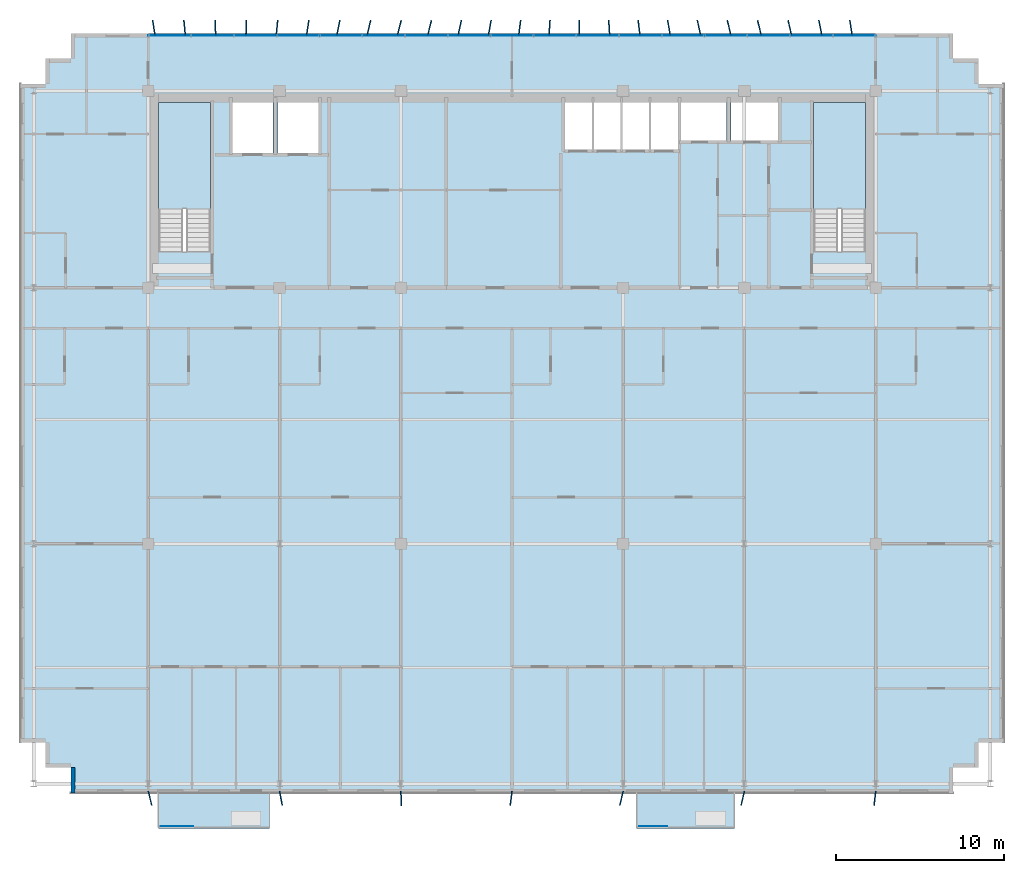
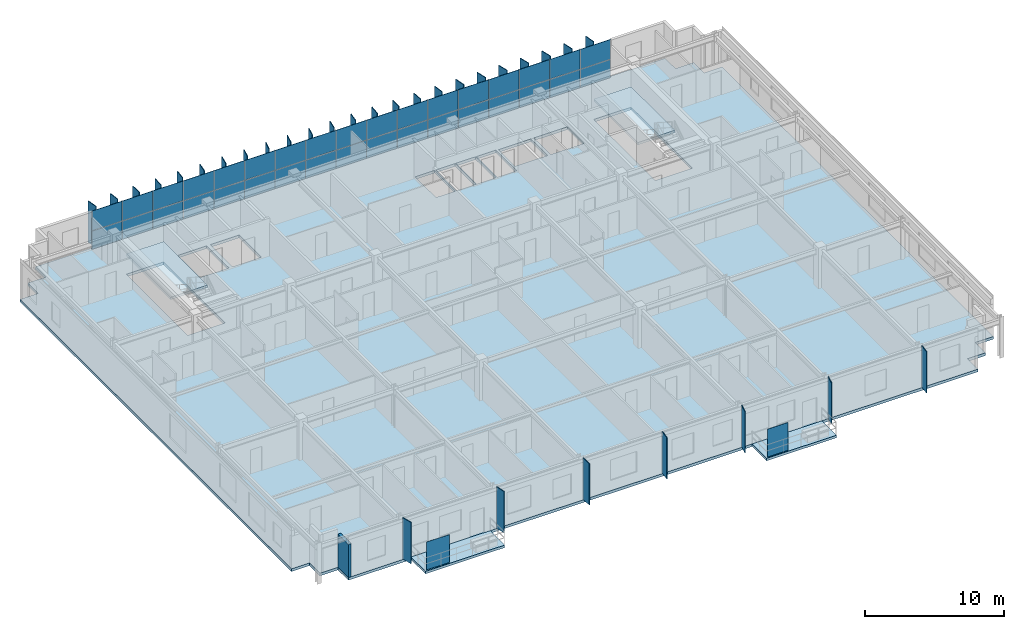
# One storey, part 15 of 23: 67 plates, 5 slabs, 1 wall, 3 elements without a shape of their own.
"""IFC4 building model written with IfcOpenShell, lengths in metres."""

from ifc_helpers import new_model, si_unit, direction, frame, frame_2d, origin, origin_2d, place, context, subcontext, project, spatial, polyline, rectangle, outline, extrude, source, transform, mapped, material, layer, layer_set, type_object, element, aggregate, save


model = new_model("IFC4")

# Units and contexts
model_context = context("Model", 3, precision=1e-05, world=origin(), true_north=direction((0.0, 1.0)))
body_context = subcontext(model_context, "Body", "Model", "MODEL_VIEW")
ifc_project = project(units=[si_unit("LENGTHUNIT", "METRE"), si_unit("AREAUNIT", "SQUARE_METRE"), si_unit("VOLUMEUNIT", "CUBIC_METRE"), si_unit("PLANEANGLEUNIT", "RADIAN"), si_unit("MASSUNIT", "GRAM", prefix="KILO")], contexts=[model_context])

# Site, building, storey
site_placement = place(None, origin())
site = spatial("IfcSite", under=ifc_project, at=site_placement, CompositionType="ELEMENT")
building_placement = place(site_placement, origin())
building = spatial("IfcBuilding", under=site, at=building_placement, Name="Trelvane Seafront Commons", CompositionType="ELEMENT")
storey_placement = place(building_placement, frame((0.0, 0.0, 226.5)))
storey = spatial("IfcBuildingStorey", under=building, at=storey_placement, Name="L59", CompositionType="ELEMENT", Elevation=226.5)

# Slabs
ifc_material_1 = material(Name="Concrete C40/50", Category="concrete")
ifc_layer_1 = layer(ifc_material_1, 0.219970703125, Name="ARCH-BALC-220")
ifc_layer_set_1 = layer_set([ifc_layer_1], Name="Concrete C40/50")
slab_type_1 = type_object("IfcSlabType", Name="ARCH-BALC-220", PredefinedType="FLOOR", material=ifc_layer_set_1)
slab_1_placement = place(storey_placement, frame((0.0, 0.0, -0.219970703125)))
element("IfcSlab", 1, at=slab_1_placement, inside=storey, type_object=slab_type_1, Name="L59 Cantilevered Tree Balcony Loggia 1", PredefinedType="FLOOR", context=body_context, shape_type="SweptSolid", body=[
    extrude(outline(polyline([(16.199951171875, 1.300048828125), (22.800048828125, 1.300048828125), (22.800048828125, 3.39990234375), (16.199951171875, 3.39990234375), (16.199951171875, 1.300048828125)])), origin(), (0.0, 0.0, 1.0), 0.219970703125),
])
slab_2_placement = place(storey_placement, frame((0.0, 0.0, -0.219970703125)))
element("IfcSlab", 2, at=slab_2_placement, inside=storey, type_object=slab_type_1, Name="L59 Cantilevered Tree Balcony Loggia 2", PredefinedType="FLOOR", context=body_context, shape_type="SweptSolid", body=[
    extrude(outline(polyline([(44.60009765625, 1.300048828125), (50.39990234375, 1.300048828125), (50.39990234375, 3.39990234375), (44.60009765625, 3.39990234375), (44.60009765625, 1.300048828125)])), origin(), (0.0, 0.0, 1.0), 0.219970703125),
])

# Stair, slab
stair_type_1 = type_object("IfcStairType", Name="ARCH-STR-ST-1-R20-180", PredefinedType="HALF_TURN_STAIR", material=ifc_material_1)
stair_1_placement = place(storey_placement, origin())
stair_1 = element("IfcStair", 3, at=stair_1_placement, inside=storey, type_object=stair_type_1, Name="L59 West Protected Firefighting Exit Stair ST-1", PredefinedType="HALF_TURN_STAIR")
ifc_layer_2 = layer(ifc_material_1, 0.199951171875, Name="ARCH-LND-200")
ifc_layer_set_2 = layer_set([ifc_layer_2], Name="Concrete C40/50")
slab_type_2 = type_object("IfcSlabType", Name="ARCH-LND-200", PredefinedType="LANDING", material=ifc_layer_set_2)
slab_3_placement = place(storey_placement, frame((0.0, 0.0, 1.60009765625)))
slab_3 = element("IfcSlab", 4, at=slab_3_placement, type_object=slab_type_2, Name="ST-1 landing 1", PredefinedType="LANDING", context=body_context, shape_type="SweptSolid", body=[
    extrude(outline(polyline([(19.300048828125, 38.070068359375), (19.300048828125, 44.39990234375), (16.199951171875, 44.39990234375), (16.199951171875, 38.070068359375), (19.300048828125, 38.070068359375)])), origin(), (0.0, 0.0, 1.0), 0.199951171875),
])
aggregate(stair_1, [slab_3])

stair_type_2 = type_object("IfcStairType", Name="ARCH-STR-ST-2-R20-180", PredefinedType="HALF_TURN_STAIR", material=ifc_material_1)
stair_2_placement = place(storey_placement, origin())
stair_2 = element("IfcStair", 5, at=stair_2_placement, inside=storey, type_object=stair_type_2, Name="L59 East Protected Firefighting Exit Stair ST-2", PredefinedType="HALF_TURN_STAIR")
slab_4_placement = place(storey_placement, frame((0.0, 0.0, 1.60009765625)))
slab_4 = element("IfcSlab", 6, at=slab_4_placement, type_object=slab_type_2, Name="ST-2 landing 1", PredefinedType="LANDING", context=body_context, shape_type="SweptSolid", body=[
    extrude(outline(polyline([(58.199951171875, 38.070068359375), (58.199951171875, 44.39990234375), (55.10009765625, 44.39990234375), (55.10009765625, 38.070068359375), (58.199951171875, 38.070068359375)])), origin(), (0.0, 0.0, 1.0), 0.199951171875),
])
aggregate(stair_2, [slab_4])

# Slab
ifc_material_2 = material(Name="Concrete C50/60", Category="concrete")
ifc_layer_3 = layer(ifc_material_2, 0.239990234375, Name="STR-SLB-Z4-240")
ifc_layer_set_3 = layer_set([ifc_layer_3], Name="Concrete C50/60")
slab_type_3 = type_object("IfcSlabType", Name="STR-SLB-Z4-240", PredefinedType="FLOOR", material=ifc_layer_set_3)
slab_5_placement = place(storey_placement, frame((0.0, 0.0, -0.239990234375)))
element("IfcSlab", 7, at=slab_5_placement, inside=storey, type_object=slab_type_3, Name="L59 Structural Floor Slab", PredefinedType="FLOOR", context=body_context, shape_type="SweptSolid", body=[
    extrude(outline(polyline([(11.0, 3.39990234375), (63.39990234375, 3.39990234375), (63.39990234375, 4.89990234375), (64.89990234375, 4.89990234375), (64.89990234375, 6.39990234375), (66.39990234375, 6.39990234375), (66.39990234375, 45.5), (64.89990234375, 45.5), (64.89990234375, 47.0), (63.39990234375, 47.0), (63.39990234375, 48.5), (11.0, 48.5), (11.0, 47.0), (9.5, 47.0), (9.5, 45.5), (8.0, 45.5), (8.0, 6.39990234375), (9.5, 6.39990234375), (9.5, 4.89990234375), (11.0, 4.89990234375), (11.0, 3.39990234375)]), holes=[polyline([(19.300048828125, 35.550048828125), (16.199951171875, 35.550048828125), (16.199951171875, 44.39990234375), (19.300048828125, 44.39990234375), (19.300048828125, 35.550048828125)]), polyline([(58.199951171875, 35.550048828125), (55.10009765625, 35.550048828125), (55.10009765625, 44.39990234375), (58.199951171875, 44.39990234375), (58.199951171875, 35.550048828125)]), polyline([(23.0, 41.39990234375), (20.60009765625, 41.39990234375), (20.60009765625, 44.60009765625), (23.0, 44.60009765625), (23.0, 41.39990234375)]), polyline([(23.300048828125, 41.39990234375), (23.300048828125, 44.60009765625), (25.699951171875, 44.60009765625), (25.699951171875, 41.39990234375), (23.300048828125, 41.39990234375)]), polyline([(40.35009765625, 41.60009765625), (40.35009765625, 44.60009765625), (41.969970703125, 44.60009765625), (41.969970703125, 41.60009765625), (40.35009765625, 41.60009765625)]), polyline([(43.669921875, 41.60009765625), (42.050048828125, 41.60009765625), (42.050048828125, 44.60009765625), (43.669921875, 44.60009765625), (43.669921875, 41.60009765625)]), polyline([(45.3701171875, 41.60009765625), (43.75, 41.60009765625), (43.75, 44.60009765625), (45.3701171875, 44.60009765625), (45.3701171875, 41.60009765625)]), polyline([(47.070068359375, 41.60009765625), (45.449951171875, 41.60009765625), (45.449951171875, 44.60009765625), (47.070068359375, 44.60009765625), (47.070068359375, 41.60009765625)]), polyline([(47.25, 42.14990234375), (47.25, 44.550048828125), (49.949951171875, 44.550048828125), (49.949951171875, 42.14990234375), (47.25, 42.14990234375)]), polyline([(50.199951171875, 42.14990234375), (50.199951171875, 44.550048828125), (53.0, 44.550048828125), (53.0, 42.14990234375), (50.199951171875, 42.14990234375)])]), origin(), (0.0, 0.0, 1.0), 0.239990234375),
])

# Plates
ifc_material_3 = material(Name="Perforated anodised aluminium screen", Category="aluminium")
ifc_layer_4 = layer(ifc_material_3, 0.01611328125, Name="ARCH-PLATE-SCREEN")
ifc_layer_set_4 = layer_set([ifc_layer_4], Name="Perforated anodised aluminium screen")
plate_type_1 = type_object("IfcPlateType", Name="ARCH-PLATE-SCREEN", PredefinedType="USERDEFINED", material=ifc_layer_set_4)
shared_shape_1 = source(origin(), body_context, "Body", "SweptSolid", [
    extrude(rectangle(XDim=1.9140625, YDim=0.01611328125, at=origin_2d()), origin(), (0.0, 0.0, 1.0), 2.449951171875),
])
plate_1_placement = place(storey_placement, frame((17.306884765625, 1.419921875, 0.0), z_axis=(0.0, 0.0, 1.0), x_axis=(1.0, 0.0, 0.0)))
element("IfcPlate", 8, at=plate_1_placement, inside=storey, type_object=plate_type_1, Name="SCR-L59-00207", ObjectType="SCREEN", PredefinedType="USERDEFINED", context=body_context, shape_type="MappedRepresentation", body=[
    mapped(shared_shape_1, transform((0.0, 0.0, 0.0), x_axis=(1.0, 0.0, 0.0), y_axis=(0.0, 1.0, 0.0), z_axis=(0.0, 0.0, 1.0), scale=1.0)),
])
shared_shape_2 = source(origin(), body_context, "Body", "SweptSolid", [
    extrude(rectangle(XDim=1.681884765625, YDim=0.01611328125, at=origin_2d()), origin(), (0.0, 0.0, 1.0), 2.449951171875),
])
plate_2_placement = place(storey_placement, frame((45.591064453125, 1.419921875, 0.0), z_axis=(0.0, 0.0, 1.0), x_axis=(1.0, 0.0, 0.0)))
element("IfcPlate", 9, at=plate_2_placement, inside=storey, type_object=plate_type_1, Name="SCR-L59-00208", ObjectType="SCREEN", PredefinedType="USERDEFINED", context=body_context, shape_type="MappedRepresentation", body=[
    mapped(shared_shape_2, transform((0.0, 0.0, 0.0), x_axis=(1.0, 0.0, 0.0), y_axis=(0.0, 1.0, 0.0), z_axis=(0.0, 0.0, 1.0), scale=1.0)),
])
ifc_material_4 = material(Name="Anodised pale-silver aluminium", Category="aluminium")
ifc_layer_5 = layer(ifc_material_4, 0.06005859375, Name="ARCH-PLATE-FIN900")
ifc_layer_set_5 = layer_set([ifc_layer_5], Name="Anodised pale-silver aluminium")
plate_type_2 = type_object("IfcPlateType", Name="ARCH-PLATE-FIN900", PredefinedType="USERDEFINED", material=ifc_layer_set_5)
shared_shape_3 = source(origin(), body_context, "Body", "SweptSolid", [
    extrude(rectangle(XDim=0.89990234375, YDim=0.06005859375, at=origin_2d()), origin(), (0.0, 0.0, 1.0), 3.639892578125),
])
for number, where, z_axis, x_axis, name in (
    (10, (15.9306640625, 48.844482421875, -0.02001953125), (0.0, 0.0, 1.0), (-0.154227559574, 0.988035353552, 0.0), "FIN-L59-01635"),
    (11, (17.755859375, 48.847900390625, -0.02001953125), (0.0, 0.0, 1.0), (-0.097996297208, 0.99518677932, 0.0), "FIN-L59-01636"),
    (12, (19.584716796875, 48.849853515625, -0.02001953125), (0.0, 0.0, 1.0), (-0.034111077672, 0.999418047856, 0.0), "FIN-L59-01637"),
    (13, (21.41455078125, 48.849853515625, -0.02001953125), (0.0, 0.0, 1.0), (0.032445211616, 0.999473515529, 0.0), "FIN-L59-01638"),
    (14, (23.243408203125, 48.847900390625, -0.02001953125), (0.0, 0.0, 1.0), (0.096445101574, 0.995338305493, 0.0), "FIN-L59-01639"),
    (15, (25.06884765625, 48.8447265625, -0.02001953125), (0.0, 0.0, 1.0), (0.15300135932, 0.988225978229, 0.0), "FIN-L59-01640"),
    (16, (26.888916015625, 48.841064453125, -0.02001953125), (0.0, 0.0, 1.0), (0.197782234179, 0.980245983334, 0.0), "FIN-L59-01641"),
    (17, (28.70263671875, 48.838134765625, -0.02001953125), (0.0, 0.0, 1.0), (0.227893755927, 0.973686004834, 0.0), "FIN-L59-01642"),
    (18, (30.508544921875, 48.836669921875, -0.02001953125), (0.0, 0.0, 1.0), (0.241332518054, 0.970442484504, 0.0), "FIN-L59-01643"),
    (19, (32.306640625, 48.837158203125, -0.02001953125), (0.0, 0.0, 1.0), (0.237119617856, 0.971480461372, 0.0), "FIN-L59-01644"),
    (20, (34.096923828125, 48.83935546875, -0.02001953125), (0.0, 0.0, 1.0), (0.215671061916, 0.976466073682, 0.0), "FIN-L59-01645"),
    (21, (35.880126953125, 48.8427734375, -0.02001953125), (0.0, 0.0, 1.0), (0.178220051922, 0.983990657015, 0.0), "FIN-L59-01646"),
    (22, (37.6572265625, 48.846435546875, -0.02001953125), (0.0, 0.0, 1.0), (0.127329474973, 0.99186047648, 0.0), "FIN-L59-01647"),
    (23, (39.429931640625, 48.84912109375, -0.02001953125), (0.0, 0.0, 1.0), (0.066665731, 0.997775365656, 0.0), "FIN-L59-01648"),
    (24, (41.200439453125, 48.85009765625, -0.02001953125), (0.0, 0.0, 1.0), (0.000888372472, 0.999999605397, 0.0), "FIN-L59-01649"),
    (25, (42.970703125, 48.84912109375, -0.02001953125), (0.0, 0.0, 1.0), (-0.065110538905, 0.997878057542, 0.0), "FIN-L59-01650"),
    (26, (44.743408203125, 48.846435546875, -0.02001953125), (0.0, 0.0, 1.0), (-0.125894241141, 0.992043668418, 0.0), "FIN-L59-01651"),
    (27, (46.520263671875, 48.843017578125, -0.02001953125), (0.0, 0.0, 1.0), (-0.177105353225, 0.984191898899, 0.0), "FIN-L59-01652"),
    (28, (48.30322265625, 48.839599609375, -0.02001953125), (0.0, 0.0, 1.0), (-0.21488362617, 0.97663966088, 0.0), "FIN-L59-01653"),
    (29, (50.093505859375, 48.837158203125, -0.02001953125), (0.0, 0.0, 1.0), (-0.236780492763, 0.971563172546, 0.0), "FIN-L59-01654"),
    (30, (51.891357421875, 48.836669921875, -0.02001953125), (0.0, 0.0, 1.0), (-0.241437528624, 0.97041636413, 0.0), "FIN-L59-01655"),
    (31, (53.697265625, 48.838134765625, -0.02001953125), (0.0, 0.0, 1.0), (-0.228444325924, 0.973556978278, 0.0), "FIN-L59-01656"),
    (32, (55.510498046875, 48.841064453125, -0.02001953125), (0.0, 0.0, 1.0), (-0.198786400323, 0.980042839394, 0.0), "FIN-L59-01657"),
    (33, (57.33056640625, 48.844482421875, -0.02001953125), (0.0, 0.0, 1.0), (-0.154227559574, 0.988035353552, 0.0), "FIN-L59-01658"),
):
    element("IfcPlate", number, at=place(storey_placement, frame(where, z_axis=z_axis, x_axis=x_axis)), inside=storey, type_object=plate_type_2, Name=name, ObjectType="FIN", PredefinedType="USERDEFINED", context=body_context, shape_type="MappedRepresentation", body=[
        mapped(shared_shape_3, transform((0.0, 0.0, 0.0), x_axis=(1.0, 0.0, 0.0), y_axis=(0.0, 1.0, 0.0), z_axis=(0.0, 0.0, 1.0), scale=1.0)),
    ])
shared_shape_4 = source(origin(), body_context, "Body", "SweptSolid", [
    extrude(rectangle(XDim=0.85009765625, YDim=0.06005859375, at=origin_2d()), origin(), (0.0, 0.0, 1.0), 3.639892578125),
])
for number, where, z_axis, x_axis, name in (
    (34, (15.702880859375, 3.087646484375, -0.02001953125), (0.0, 0.0, 1.0), (0.241871090703, -0.970308391947, 0.0), "FIN-S-L59-01659"),
    (35, (23.47802734375, 3.082275390625, -0.02001953125), (0.0, 0.0, 1.0), (0.183656268448, -0.982990526434, 0.0), "FIN-S-L59-01660"),
    (36, (30.6162109375, 3.0751953125, -0.02001953125), (0.0, 0.0, 1.0), (0.038234332869, -0.999268800569, 0.0), "FIN-S-L59-01661"),
    (37, (37.146484375, 3.078369140625, -0.02001953125), (0.0, 0.0, 1.0), (-0.125887315367, -0.992044547301, 0.0), "FIN-S-L59-01662"),
    (38, (43.70263671875, 3.086181640625, -0.02001953125), (0.0, 0.0, 1.0), (-0.229281935748, -0.973360053598, 0.0), "FIN-S-L59-01663"),
    (39, (50.904052734375, 3.0859375, -0.02001953125), (0.0, 0.0, 1.0), (-0.22564144002, -0.97421041903, 0.0), "FIN-S-L59-01664"),
    (40, (58.75048828125, 3.077880859375, -0.02001953125), (0.0, 0.0, 1.0), (-0.116589266447, -0.993180216753, 0.0), "FIN-S-L59-01665"),
):
    element("IfcPlate", number, at=place(storey_placement, frame(where, z_axis=z_axis, x_axis=x_axis)), inside=storey, type_object=plate_type_2, Name=name, ObjectType="FIN", PredefinedType="USERDEFINED", context=body_context, shape_type="MappedRepresentation", body=[
        mapped(shared_shape_4, transform((0.0, 0.0, 0.0), x_axis=(1.0, 0.0, 0.0), y_axis=(0.0, 1.0, 0.0), z_axis=(0.0, 0.0, 1.0), scale=1.0)),
    ])

# Curtain wall, plates
curtain_wall_type = type_object("IfcCurtainWallType", Name="ARCH-CW5-UPTOWER", PredefinedType="NOTDEFINED", material=ifc_material_4)
curtain_wall_placement = place(storey_placement, origin())
curtain_wall = element("IfcCurtainWall", 41, at=curtain_wall_placement, inside=storey, type_object=curtain_wall_type, Name="CW-L59-0102", PredefinedType="NOTDEFINED")
ifc_material_5 = material(Name="Low-E coastal double glazing", Category="glass")
ifc_layer_6 = layer(ifc_material_5, 0.033935546875, Name="ARCH-CW-GLAZ-34")
ifc_layer_set_6 = layer_set([ifc_layer_6], Name="Low-E coastal double glazing")
plate_type_3 = type_object("IfcPlateType", Name="ARCH-CW-GLAZ-34", PredefinedType="CURTAIN_PANEL", material=ifc_layer_set_6)
shared_shape_5 = source(origin(), body_context, "Body", "SweptSolid", [
    extrude(rectangle(XDim=2.51708984375, YDim=0.033935546875, at=origin_2d()), origin(), (0.0, 0.0, 1.0), 1.594970703125),
])
plate_3_placement = place(storey_placement, frame((16.87060546875, 48.3701171875, 0.0), z_axis=(0.0, 0.0, 1.0), x_axis=(1.0, 0.0, 0.0)))
plate_3 = element("IfcPlate", 42, at=plate_3_placement, type_object=plate_type_3, Name="CW-L59-0102-P00-1", PredefinedType="CURTAIN_PANEL", context=body_context, shape_type="MappedRepresentation", body=[
    mapped(shared_shape_5, transform((0.0, 0.0, 0.0), x_axis=(1.0, 0.0, 0.0), y_axis=(0.0, 1.0, 0.0), z_axis=(0.0, 0.0, 1.0), scale=1.0)),
])
plate_4_placement = place(storey_placement, frame((19.411865234375, 48.3701171875, 0.0), z_axis=(0.0, 0.0, 1.0), x_axis=(1.0, 0.0, 0.0)))
plate_4 = element("IfcPlate", 43, at=plate_4_placement, type_object=plate_type_3, Name="CW-L59-0102-P01-1", PredefinedType="CURTAIN_PANEL", context=body_context, shape_type="MappedRepresentation", body=[
    mapped(shared_shape_5, transform((0.0, 0.0, 0.0), x_axis=(1.0, 0.0, 0.0), y_axis=(0.0, 1.0, 0.0), z_axis=(0.0, 0.0, 1.0), scale=1.0)),
])
plate_5_placement = place(storey_placement, frame((21.952880859375, 48.3701171875, 0.0), z_axis=(0.0, 0.0, 1.0), x_axis=(1.0, 0.0, 0.0)))
plate_5 = element("IfcPlate", 44, at=plate_5_placement, type_object=plate_type_3, Name="CW-L59-0102-P02-1", PredefinedType="CURTAIN_PANEL", context=body_context, shape_type="MappedRepresentation", body=[
    mapped(shared_shape_5, transform((0.0, 0.0, 0.0), x_axis=(1.0, 0.0, 0.0), y_axis=(0.0, 1.0, 0.0), z_axis=(0.0, 0.0, 1.0), scale=1.0)),
])
plate_6_placement = place(storey_placement, frame((24.494140625, 48.3701171875, 0.0), z_axis=(0.0, 0.0, 1.0), x_axis=(1.0, 0.0, 0.0)))
plate_6 = element("IfcPlate", 45, at=plate_6_placement, type_object=plate_type_3, Name="CW-L59-0102-P03-1", PredefinedType="CURTAIN_PANEL", context=body_context, shape_type="MappedRepresentation", body=[
    mapped(shared_shape_5, transform((0.0, 0.0, 0.0), x_axis=(1.0, 0.0, 0.0), y_axis=(0.0, 1.0, 0.0), z_axis=(0.0, 0.0, 1.0), scale=1.0)),
])
plate_7_placement = place(storey_placement, frame((27.035400390625, 48.3701171875, 0.0), z_axis=(0.0, 0.0, 1.0), x_axis=(1.0, 0.0, 0.0)))
plate_7 = element("IfcPlate", 46, at=plate_7_placement, type_object=plate_type_3, Name="CW-L59-0102-P04-1", PredefinedType="CURTAIN_PANEL", context=body_context, shape_type="MappedRepresentation", body=[
    mapped(shared_shape_5, transform((0.0, 0.0, 0.0), x_axis=(1.0, 0.0, 0.0), y_axis=(0.0, 1.0, 0.0), z_axis=(0.0, 0.0, 1.0), scale=1.0)),
])
plate_8_placement = place(storey_placement, frame((29.576416015625, 48.3701171875, 0.0), z_axis=(0.0, 0.0, 1.0), x_axis=(1.0, 0.0, 0.0)))
plate_8 = element("IfcPlate", 47, at=plate_8_placement, type_object=plate_type_3, Name="CW-L59-0102-P05-1", PredefinedType="CURTAIN_PANEL", context=body_context, shape_type="MappedRepresentation", body=[
    mapped(shared_shape_5, transform((0.0, 0.0, 0.0), x_axis=(1.0, 0.0, 0.0), y_axis=(0.0, 1.0, 0.0), z_axis=(0.0, 0.0, 1.0), scale=1.0)),
])
plate_9_placement = place(storey_placement, frame((32.11767578125, 48.3701171875, 0.0), z_axis=(0.0, 0.0, 1.0), x_axis=(1.0, 0.0, 0.0)))
plate_9 = element("IfcPlate", 48, at=plate_9_placement, type_object=plate_type_3, Name="CW-L59-0102-P06-1", PredefinedType="CURTAIN_PANEL", context=body_context, shape_type="MappedRepresentation", body=[
    mapped(shared_shape_5, transform((0.0, 0.0, 0.0), x_axis=(1.0, 0.0, 0.0), y_axis=(0.0, 1.0, 0.0), z_axis=(0.0, 0.0, 1.0), scale=1.0)),
])
plate_10_placement = place(storey_placement, frame((34.65869140625, 48.3701171875, 0.0), z_axis=(0.0, 0.0, 1.0), x_axis=(1.0, 0.0, 0.0)))
plate_10 = element("IfcPlate", 49, at=plate_10_placement, type_object=plate_type_3, Name="CW-L59-0102-P07-1", PredefinedType="CURTAIN_PANEL", context=body_context, shape_type="MappedRepresentation", body=[
    mapped(shared_shape_5, transform((0.0, 0.0, 0.0), x_axis=(1.0, 0.0, 0.0), y_axis=(0.0, 1.0, 0.0), z_axis=(0.0, 0.0, 1.0), scale=1.0)),
])
plate_11_placement = place(storey_placement, frame((37.199951171875, 48.3701171875, 0.0), z_axis=(0.0, 0.0, 1.0), x_axis=(1.0, 0.0, 0.0)))
plate_11 = element("IfcPlate", 50, at=plate_11_placement, type_object=plate_type_3, Name="CW-L59-0102-P08-1", PredefinedType="CURTAIN_PANEL", context=body_context, shape_type="MappedRepresentation", body=[
    mapped(shared_shape_5, transform((0.0, 0.0, 0.0), x_axis=(1.0, 0.0, 0.0), y_axis=(0.0, 1.0, 0.0), z_axis=(0.0, 0.0, 1.0), scale=1.0)),
])
plate_12_placement = place(storey_placement, frame((39.7412109375, 48.3701171875, 0.0), z_axis=(0.0, 0.0, 1.0), x_axis=(1.0, 0.0, 0.0)))
plate_12 = element("IfcPlate", 51, at=plate_12_placement, type_object=plate_type_3, Name="CW-L59-0102-P09-1", PredefinedType="CURTAIN_PANEL", context=body_context, shape_type="MappedRepresentation", body=[
    mapped(shared_shape_5, transform((0.0, 0.0, 0.0), x_axis=(1.0, 0.0, 0.0), y_axis=(0.0, 1.0, 0.0), z_axis=(0.0, 0.0, 1.0), scale=1.0)),
])
plate_13_placement = place(storey_placement, frame((42.282470703125, 48.3701171875, 0.0), z_axis=(0.0, 0.0, 1.0), x_axis=(1.0, 0.0, 0.0)))
plate_13 = element("IfcPlate", 52, at=plate_13_placement, type_object=plate_type_3, Name="CW-L59-0102-P10-1", PredefinedType="CURTAIN_PANEL", context=body_context, shape_type="MappedRepresentation", body=[
    mapped(shared_shape_5, transform((0.0, 0.0, 0.0), x_axis=(1.0, 0.0, 0.0), y_axis=(0.0, 1.0, 0.0), z_axis=(0.0, 0.0, 1.0), scale=1.0)),
])
plate_14_placement = place(storey_placement, frame((44.823486328125, 48.3701171875, 0.0), z_axis=(0.0, 0.0, 1.0), x_axis=(1.0, 0.0, 0.0)))
plate_14 = element("IfcPlate", 53, at=plate_14_placement, type_object=plate_type_3, Name="CW-L59-0102-P11-1", PredefinedType="CURTAIN_PANEL", context=body_context, shape_type="MappedRepresentation", body=[
    mapped(shared_shape_5, transform((0.0, 0.0, 0.0), x_axis=(1.0, 0.0, 0.0), y_axis=(0.0, 1.0, 0.0), z_axis=(0.0, 0.0, 1.0), scale=1.0)),
])
plate_15_placement = place(storey_placement, frame((47.36474609375, 48.3701171875, 0.0), z_axis=(0.0, 0.0, 1.0), x_axis=(1.0, 0.0, 0.0)))
plate_15 = element("IfcPlate", 54, at=plate_15_placement, type_object=plate_type_3, Name="CW-L59-0102-P12-1", PredefinedType="CURTAIN_PANEL", context=body_context, shape_type="MappedRepresentation", body=[
    mapped(shared_shape_5, transform((0.0, 0.0, 0.0), x_axis=(1.0, 0.0, 0.0), y_axis=(0.0, 1.0, 0.0), z_axis=(0.0, 0.0, 1.0), scale=1.0)),
])
plate_16_placement = place(storey_placement, frame((49.906005859375, 48.3701171875, 0.0), z_axis=(0.0, 0.0, 1.0), x_axis=(1.0, 0.0, 0.0)))
plate_16 = element("IfcPlate", 55, at=plate_16_placement, type_object=plate_type_3, Name="CW-L59-0102-P13-1", PredefinedType="CURTAIN_PANEL", context=body_context, shape_type="MappedRepresentation", body=[
    mapped(shared_shape_5, transform((0.0, 0.0, 0.0), x_axis=(1.0, 0.0, 0.0), y_axis=(0.0, 1.0, 0.0), z_axis=(0.0, 0.0, 1.0), scale=1.0)),
])
plate_17_placement = place(storey_placement, frame((52.447021484375, 48.3701171875, 0.0), z_axis=(0.0, 0.0, 1.0), x_axis=(1.0, 0.0, 0.0)))
plate_17 = element("IfcPlate", 56, at=plate_17_placement, type_object=plate_type_3, Name="CW-L59-0102-P14-1", PredefinedType="CURTAIN_PANEL", context=body_context, shape_type="MappedRepresentation", body=[
    mapped(shared_shape_5, transform((0.0, 0.0, 0.0), x_axis=(1.0, 0.0, 0.0), y_axis=(0.0, 1.0, 0.0), z_axis=(0.0, 0.0, 1.0), scale=1.0)),
])
plate_18_placement = place(storey_placement, frame((54.98828125, 48.3701171875, 0.0), z_axis=(0.0, 0.0, 1.0), x_axis=(1.0, 0.0, 0.0)))
plate_18 = element("IfcPlate", 57, at=plate_18_placement, type_object=plate_type_3, Name="CW-L59-0102-P15-1", PredefinedType="CURTAIN_PANEL", context=body_context, shape_type="MappedRepresentation", body=[
    mapped(shared_shape_5, transform((0.0, 0.0, 0.0), x_axis=(1.0, 0.0, 0.0), y_axis=(0.0, 1.0, 0.0), z_axis=(0.0, 0.0, 1.0), scale=1.0)),
])
plate_19_placement = place(storey_placement, frame((57.529296875, 48.3701171875, 0.0), z_axis=(0.0, 0.0, 1.0), x_axis=(1.0, 0.0, 0.0)))
plate_19 = element("IfcPlate", 58, at=plate_19_placement, type_object=plate_type_3, Name="CW-L59-0102-P16-1", PredefinedType="CURTAIN_PANEL", context=body_context, shape_type="MappedRepresentation", body=[
    mapped(shared_shape_5, transform((0.0, 0.0, 0.0), x_axis=(1.0, 0.0, 0.0), y_axis=(0.0, 1.0, 0.0), z_axis=(0.0, 0.0, 1.0), scale=1.0)),
])
shared_shape_6 = source(origin(), body_context, "Body", "SweptSolid", [
    extrude(rectangle(XDim=2.51708984375, YDim=0.033935546875, at=origin_2d()), origin(), (0.0, 0.0, 1.0), 1.72900390625),
])
plate_20_placement = place(storey_placement, frame((16.87060546875, 48.3701171875, 1.631103515625), z_axis=(0.0, 0.0, 1.0), x_axis=(1.0, 0.0, 0.0)))
plate_20 = element("IfcPlate", 59, at=plate_20_placement, type_object=plate_type_3, Name="CW-L59-0102-P00-2", PredefinedType="CURTAIN_PANEL", context=body_context, shape_type="MappedRepresentation", body=[
    mapped(shared_shape_6, transform((0.0, 0.0, 0.0), x_axis=(1.0, 0.0, 0.0), y_axis=(0.0, 1.0, 0.0), z_axis=(0.0, 0.0, 1.0), scale=1.0)),
])
plate_21_placement = place(storey_placement, frame((19.411865234375, 48.3701171875, 1.631103515625), z_axis=(0.0, 0.0, 1.0), x_axis=(1.0, 0.0, 0.0)))
plate_21 = element("IfcPlate", 60, at=plate_21_placement, type_object=plate_type_3, Name="CW-L59-0102-P01-2", PredefinedType="CURTAIN_PANEL", context=body_context, shape_type="MappedRepresentation", body=[
    mapped(shared_shape_6, transform((0.0, 0.0, 0.0), x_axis=(1.0, 0.0, 0.0), y_axis=(0.0, 1.0, 0.0), z_axis=(0.0, 0.0, 1.0), scale=1.0)),
])
plate_22_placement = place(storey_placement, frame((21.952880859375, 48.3701171875, 1.631103515625), z_axis=(0.0, 0.0, 1.0), x_axis=(1.0, 0.0, 0.0)))
plate_22 = element("IfcPlate", 61, at=plate_22_placement, type_object=plate_type_3, Name="CW-L59-0102-P02-2", PredefinedType="CURTAIN_PANEL", context=body_context, shape_type="MappedRepresentation", body=[
    mapped(shared_shape_6, transform((0.0, 0.0, 0.0), x_axis=(1.0, 0.0, 0.0), y_axis=(0.0, 1.0, 0.0), z_axis=(0.0, 0.0, 1.0), scale=1.0)),
])
plate_23_placement = place(storey_placement, frame((24.494140625, 48.3701171875, 1.631103515625), z_axis=(0.0, 0.0, 1.0), x_axis=(1.0, 0.0, 0.0)))
plate_23 = element("IfcPlate", 62, at=plate_23_placement, type_object=plate_type_3, Name="CW-L59-0102-P03-2", PredefinedType="CURTAIN_PANEL", context=body_context, shape_type="MappedRepresentation", body=[
    mapped(shared_shape_6, transform((0.0, 0.0, 0.0), x_axis=(1.0, 0.0, 0.0), y_axis=(0.0, 1.0, 0.0), z_axis=(0.0, 0.0, 1.0), scale=1.0)),
])
plate_24_placement = place(storey_placement, frame((27.035400390625, 48.3701171875, 1.631103515625), z_axis=(0.0, 0.0, 1.0), x_axis=(1.0, 0.0, 0.0)))
plate_24 = element("IfcPlate", 63, at=plate_24_placement, type_object=plate_type_3, Name="CW-L59-0102-P04-2", PredefinedType="CURTAIN_PANEL", context=body_context, shape_type="MappedRepresentation", body=[
    mapped(shared_shape_6, transform((0.0, 0.0, 0.0), x_axis=(1.0, 0.0, 0.0), y_axis=(0.0, 1.0, 0.0), z_axis=(0.0, 0.0, 1.0), scale=1.0)),
])
plate_25_placement = place(storey_placement, frame((29.576416015625, 48.3701171875, 1.631103515625), z_axis=(0.0, 0.0, 1.0), x_axis=(1.0, 0.0, 0.0)))
plate_25 = element("IfcPlate", 64, at=plate_25_placement, type_object=plate_type_3, Name="CW-L59-0102-P05-2", PredefinedType="CURTAIN_PANEL", context=body_context, shape_type="MappedRepresentation", body=[
    mapped(shared_shape_6, transform((0.0, 0.0, 0.0), x_axis=(1.0, 0.0, 0.0), y_axis=(0.0, 1.0, 0.0), z_axis=(0.0, 0.0, 1.0), scale=1.0)),
])
plate_26_placement = place(storey_placement, frame((32.11767578125, 48.3701171875, 1.631103515625), z_axis=(0.0, 0.0, 1.0), x_axis=(1.0, 0.0, 0.0)))
plate_26 = element("IfcPlate", 65, at=plate_26_placement, type_object=plate_type_3, Name="CW-L59-0102-P06-2", PredefinedType="CURTAIN_PANEL", context=body_context, shape_type="MappedRepresentation", body=[
    mapped(shared_shape_6, transform((0.0, 0.0, 0.0), x_axis=(1.0, 0.0, 0.0), y_axis=(0.0, 1.0, 0.0), z_axis=(0.0, 0.0, 1.0), scale=1.0)),
])
plate_27_placement = place(storey_placement, frame((34.65869140625, 48.3701171875, 1.631103515625), z_axis=(0.0, 0.0, 1.0), x_axis=(1.0, 0.0, 0.0)))
plate_27 = element("IfcPlate", 66, at=plate_27_placement, type_object=plate_type_3, Name="CW-L59-0102-P07-2", PredefinedType="CURTAIN_PANEL", context=body_context, shape_type="MappedRepresentation", body=[
    mapped(shared_shape_6, transform((0.0, 0.0, 0.0), x_axis=(1.0, 0.0, 0.0), y_axis=(0.0, 1.0, 0.0), z_axis=(0.0, 0.0, 1.0), scale=1.0)),
])
plate_28_placement = place(storey_placement, frame((37.199951171875, 48.3701171875, 1.631103515625), z_axis=(0.0, 0.0, 1.0), x_axis=(1.0, 0.0, 0.0)))
plate_28 = element("IfcPlate", 67, at=plate_28_placement, type_object=plate_type_3, Name="CW-L59-0102-P08-2", PredefinedType="CURTAIN_PANEL", context=body_context, shape_type="MappedRepresentation", body=[
    mapped(shared_shape_6, transform((0.0, 0.0, 0.0), x_axis=(1.0, 0.0, 0.0), y_axis=(0.0, 1.0, 0.0), z_axis=(0.0, 0.0, 1.0), scale=1.0)),
])
plate_29_placement = place(storey_placement, frame((39.7412109375, 48.3701171875, 1.631103515625), z_axis=(0.0, 0.0, 1.0), x_axis=(1.0, 0.0, 0.0)))
plate_29 = element("IfcPlate", 68, at=plate_29_placement, type_object=plate_type_3, Name="CW-L59-0102-P09-2", PredefinedType="CURTAIN_PANEL", context=body_context, shape_type="MappedRepresentation", body=[
    mapped(shared_shape_6, transform((0.0, 0.0, 0.0), x_axis=(1.0, 0.0, 0.0), y_axis=(0.0, 1.0, 0.0), z_axis=(0.0, 0.0, 1.0), scale=1.0)),
])
plate_30_placement = place(storey_placement, frame((42.282470703125, 48.3701171875, 1.631103515625), z_axis=(0.0, 0.0, 1.0), x_axis=(1.0, 0.0, 0.0)))
plate_30 = element("IfcPlate", 69, at=plate_30_placement, type_object=plate_type_3, Name="CW-L59-0102-P10-2", PredefinedType="CURTAIN_PANEL", context=body_context, shape_type="MappedRepresentation", body=[
    mapped(shared_shape_6, transform((0.0, 0.0, 0.0), x_axis=(1.0, 0.0, 0.0), y_axis=(0.0, 1.0, 0.0), z_axis=(0.0, 0.0, 1.0), scale=1.0)),
])
plate_31_placement = place(storey_placement, frame((44.823486328125, 48.3701171875, 1.631103515625), z_axis=(0.0, 0.0, 1.0), x_axis=(1.0, 0.0, 0.0)))
plate_31 = element("IfcPlate", 70, at=plate_31_placement, type_object=plate_type_3, Name="CW-L59-0102-P11-2", PredefinedType="CURTAIN_PANEL", context=body_context, shape_type="MappedRepresentation", body=[
    mapped(shared_shape_6, transform((0.0, 0.0, 0.0), x_axis=(1.0, 0.0, 0.0), y_axis=(0.0, 1.0, 0.0), z_axis=(0.0, 0.0, 1.0), scale=1.0)),
])
plate_32_placement = place(storey_placement, frame((47.36474609375, 48.3701171875, 1.631103515625), z_axis=(0.0, 0.0, 1.0), x_axis=(1.0, 0.0, 0.0)))
plate_32 = element("IfcPlate", 71, at=plate_32_placement, type_object=plate_type_3, Name="CW-L59-0102-P12-2", PredefinedType="CURTAIN_PANEL", context=body_context, shape_type="MappedRepresentation", body=[
    mapped(shared_shape_6, transform((0.0, 0.0, 0.0), x_axis=(1.0, 0.0, 0.0), y_axis=(0.0, 1.0, 0.0), z_axis=(0.0, 0.0, 1.0), scale=1.0)),
])
plate_33_placement = place(storey_placement, frame((49.906005859375, 48.3701171875, 1.631103515625), z_axis=(0.0, 0.0, 1.0), x_axis=(1.0, 0.0, 0.0)))
plate_33 = element("IfcPlate", 72, at=plate_33_placement, type_object=plate_type_3, Name="CW-L59-0102-P13-2", PredefinedType="CURTAIN_PANEL", context=body_context, shape_type="MappedRepresentation", body=[
    mapped(shared_shape_6, transform((0.0, 0.0, 0.0), x_axis=(1.0, 0.0, 0.0), y_axis=(0.0, 1.0, 0.0), z_axis=(0.0, 0.0, 1.0), scale=1.0)),
])
plate_34_placement = place(storey_placement, frame((52.447021484375, 48.3701171875, 1.631103515625), z_axis=(0.0, 0.0, 1.0), x_axis=(1.0, 0.0, 0.0)))
plate_34 = element("IfcPlate", 73, at=plate_34_placement, type_object=plate_type_3, Name="CW-L59-0102-P14-2", PredefinedType="CURTAIN_PANEL", context=body_context, shape_type="MappedRepresentation", body=[
    mapped(shared_shape_6, transform((0.0, 0.0, 0.0), x_axis=(1.0, 0.0, 0.0), y_axis=(0.0, 1.0, 0.0), z_axis=(0.0, 0.0, 1.0), scale=1.0)),
])
plate_35_placement = place(storey_placement, frame((54.98828125, 48.3701171875, 1.631103515625), z_axis=(0.0, 0.0, 1.0), x_axis=(1.0, 0.0, 0.0)))
plate_35 = element("IfcPlate", 74, at=plate_35_placement, type_object=plate_type_3, Name="CW-L59-0102-P15-2", PredefinedType="CURTAIN_PANEL", context=body_context, shape_type="MappedRepresentation", body=[
    mapped(shared_shape_6, transform((0.0, 0.0, 0.0), x_axis=(1.0, 0.0, 0.0), y_axis=(0.0, 1.0, 0.0), z_axis=(0.0, 0.0, 1.0), scale=1.0)),
])
plate_36_placement = place(storey_placement, frame((57.529296875, 48.3701171875, 1.631103515625), z_axis=(0.0, 0.0, 1.0), x_axis=(1.0, 0.0, 0.0)))
plate_36 = element("IfcPlate", 75, at=plate_36_placement, type_object=plate_type_3, Name="CW-L59-0102-P16-2", PredefinedType="CURTAIN_PANEL", context=body_context, shape_type="MappedRepresentation", body=[
    mapped(shared_shape_6, transform((0.0, 0.0, 0.0), x_axis=(1.0, 0.0, 0.0), y_axis=(0.0, 1.0, 0.0), z_axis=(0.0, 0.0, 1.0), scale=1.0)),
])
aggregate(curtain_wall, [plate_3, plate_20, plate_4, plate_21, plate_5, plate_22, plate_6, plate_23, plate_7, plate_24, plate_8, plate_25, plate_9, plate_26, plate_10, plate_27, plate_11, plate_28, plate_12, plate_29, plate_13, plate_30, plate_14, plate_31, plate_15, plate_32, plate_16, plate_33, plate_17, plate_34, plate_18, plate_35, plate_19, plate_36])

# Wall
ifc_material_6 = material(Name="Precast concrete C40/50", Category="concrete")
ifc_layer_7 = layer(ifc_material_6, 0.239990234375, Name="ARCH-WALL-EXT240")
ifc_layer_set_7 = layer_set([ifc_layer_7], Name="Precast concrete C40/50")
wall_type = type_object("IfcWallType", Name="ARCH-WALL-EXT240", PredefinedType="SOLIDWALL", material=ifc_layer_set_7)
wall_placement = place(storey_placement, frame((11.1201171875, 3.39990234375, 0.0), z_axis=(0.0, 0.0, 1.0), x_axis=(0.0, 1.0, 0.0)))
element("IfcWall", 76, at=wall_placement, inside=storey, type_object=wall_type, Name="EW-L59-01203", PredefinedType="SOLIDWALL", context=body_context, shape_type="SweptSolid", body=[
    extrude(rectangle(XDim=1.5, YDim=0.239990234375, at=frame_2d((0.75, 0.0))), origin(), (0.0, 0.0, 1.0), 2.909912109375),
])

save(model, "model.ifc")
